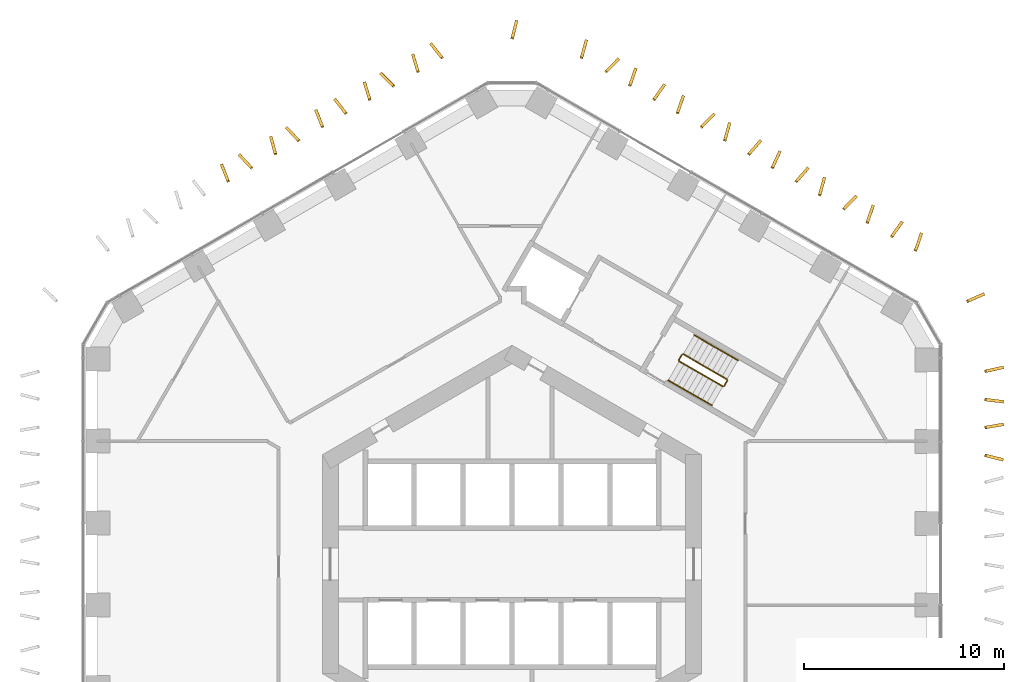
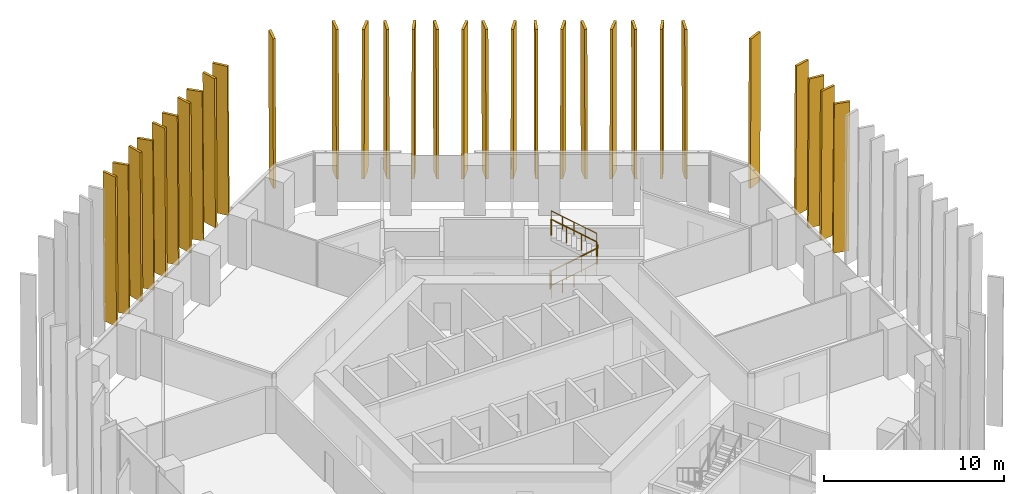
# One storey, part 18 of 18: 31 shading devices, 8 railings.
"""IFC4 building model written with IfcOpenShell, lengths in metres."""

import ifcopenshell
import ifcopenshell.guid

model = None  # the IFC model being written
_history = None  # IfcOwnerHistory: only IFC2X3 demands one
_inside = {}  # id of a spatial element -> (the spatial element, [elements in it])
_under = {}  # id of a project, library or spatial element -> (it, [spatial elements below it])
_declared = {}  # id of a project -> (the project, [libraries it declares])
_typed = {}  # id of a type object -> (the type object, [elements of that type])
_made_of = {}  # id of a material, layer set ... -> (it, [elements and type objects made of it])


def new_model(schema):
    """Start an empty IFC model of exactly this schema.

    Asked for "IFC4X3", IfcOpenShell would pick the latest addendum, in which some entities
    have other attributes; the version numbers below select the first issue.
    IFC2X3 requires an IfcOwnerHistory on every rooted entity: one is made here for all.
    """
    global model, _history
    if schema == "IFC4X3":
        model = ifcopenshell.file(schema_version=(4, 3, 0, 0))
    else:
        model = ifcopenshell.file(schema=schema)
    _inside.clear()
    _under.clear()
    _declared.clear()
    _typed.clear()
    _made_of.clear()
    _history = None
    if model.schema == "IFC2X3":
        org = make("IfcOrganization", Name="unknown")
        user = make(
            "IfcPersonAndOrganization",
            ThePerson=make("IfcPerson", FamilyName="unknown"),
            TheOrganization=org,
        )
        app = make(
            "IfcApplication",
            ApplicationDeveloper=org,
            Version="unknown",
            ApplicationFullName="unknown",
            ApplicationIdentifier="unknown",
        )
        _history = make(
            "IfcOwnerHistory",
            OwningUser=user,
            OwningApplication=app,
            ChangeAction="ADDED",
            CreationDate=0,
        )
    return model


def make(cls, **values):
    """One entity of the class cls with the attributes given. An attribute that is None is left unset."""
    return model.create_entity(
        cls, **{name: value for name, value in values.items() if value is not None}
    )


def rooted(cls, **values):
    """An entity with a GlobalId (a new one), such as an element, a storey or a relation."""
    return make(cls, GlobalId=ifcopenshell.guid.new(), OwnerHistory=_history, **values)


def si_unit(unit_type, name, prefix=None):
    """IfcSIUnit, for example si_unit("LENGTHUNIT", "METRE", prefix="MILLI")."""
    return make("IfcSIUnit", UnitType=unit_type, Prefix=prefix, Name=name)


def assignment(units):
    """IfcUnitAssignment: the units of a project."""
    return None if units is None else make("IfcUnitAssignment", Units=units)


def point(xyz):
    """IfcCartesianPoint."""
    return None if xyz is None else make("IfcCartesianPoint", Coordinates=xyz)


def direction(xyz):
    """IfcDirection."""
    return None if xyz is None else make("IfcDirection", DirectionRatios=xyz)


def frame(location, z_axis=None, x_axis=None):
    """IfcAxis2Placement3D, a coordinate frame: its origin and axes. An axis left out is left unset."""
    return make(
        "IfcAxis2Placement3D",
        Location=point(location),
        Axis=direction(z_axis),
        RefDirection=direction(x_axis),
    )


def frame_2d(location, x_axis=None):
    """IfcAxis2Placement2D, a coordinate frame in the plane: its origin and x axis."""
    return make(
        "IfcAxis2Placement2D", Location=point(location), RefDirection=direction(x_axis)
    )


def origin():
    """The frame at (0, 0, 0) with its axes left unset."""
    return frame((0.0, 0.0, 0.0))


def origin_2d():
    """The frame at (0, 0) in the plane with its x axis left unset."""
    return frame_2d((0.0, 0.0))


def place(relative_to, where):
    """IfcLocalPlacement: puts the frame where relative to a parent placement (None: the world)."""
    return make(
        "IfcLocalPlacement", PlacementRelTo=relative_to, RelativePlacement=where
    )


def context(
    kind, dimensions, precision=None, world=None, true_north=None, identifier=None
):
    """IfcGeometricRepresentationContext, for example the 3D "Model" context."""
    return make(
        "IfcGeometricRepresentationContext",
        ContextIdentifier=identifier,
        ContextType=kind,
        CoordinateSpaceDimension=dimensions,
        Precision=precision,
        WorldCoordinateSystem=world,
        TrueNorth=true_north,
    )


def subcontext(parent, identifier, kind, view, scale=None):
    """IfcGeometricRepresentationSubContext, for example "Body" below "Model"."""
    return make(
        "IfcGeometricRepresentationSubContext",
        ContextIdentifier=identifier,
        ContextType=kind,
        ParentContext=parent,
        TargetScale=scale,
        TargetView=view,
    )


def project(units=None, contexts=None):
    """IfcProject with its units and contexts."""
    return rooted(
        "IfcProject",
        Name="project",
        RepresentationContexts=contexts,
        UnitsInContext=assignment(units),
    )


def spatial(cls, under=None, at=None, **own):
    """A site, building, storey or space (cls), placed at a placement, below another one or the project."""
    s = rooted(cls, ObjectPlacement=at, **own)
    if under is not None:
        _under.setdefault(under.id(), (under, []))[1].append(s)
    return s


def polyline(points):
    """IfcPolyline through the points."""
    return make("IfcPolyline", Points=[point(p) for p in points])


def profile(cls, at=None, kind="AREA", **sizes):
    """A parametric profile (cls). Its sizes go by their IFC names, for example OverallWidth=200.0."""
    return make(cls, ProfileType=kind, Position=at, **sizes)


def circle(**sizes):
    """IfcCircleProfileDef."""
    return profile("IfcCircleProfileDef", **sizes)


def outline(outer, holes=None, kind="AREA"):
    """IfcArbitraryClosedProfileDef: a profile drawn as a closed curve; with holes, ...WithVoids."""
    if holes is None:
        return make("IfcArbitraryClosedProfileDef", ProfileType=kind, OuterCurve=outer)
    return make(
        "IfcArbitraryProfileDefWithVoids",
        ProfileType=kind,
        OuterCurve=outer,
        InnerCurves=holes,
    )


def extrude(swept, where, along, depth):
    """IfcExtrudedAreaSolid: the profile swept, set in the frame where, extruded along a direction by depth."""
    return make(
        "IfcExtrudedAreaSolid",
        SweptArea=swept,
        Position=where,
        ExtrudedDirection=direction(along),
        Depth=depth,
    )


def shape(context_of_items, identifier, shape_type, items):
    """IfcShapeRepresentation: the items that make up one representation, for example the "Body"."""
    return make(
        "IfcShapeRepresentation",
        ContextOfItems=context_of_items,
        RepresentationIdentifier=identifier,
        RepresentationType=shape_type,
        Items=items,
    )


def material(Name=None, Category=None):
    """IfcMaterial."""
    return make("IfcMaterial", Name=Name, Category=Category)


def layer(
    of_material, thickness, ventilated=None, Name=None, Category=None, Priority=None
):
    """IfcMaterialLayer: one layer of a wall or slab, of a material (None: an air gap)."""
    return make(
        "IfcMaterialLayer",
        Material=of_material,
        LayerThickness=thickness,
        IsVentilated=ventilated,
        Name=Name,
        Category=Category,
        Priority=Priority,
    )


def layer_set(layers, Name=None):
    """IfcMaterialLayerSet."""
    return make("IfcMaterialLayerSet", MaterialLayers=layers, LayerSetName=Name)


def made_of(thing, what):
    """Note that an element or type object is made of a material, layer set ...; save() writes the relation."""
    if what is not None:
        _made_of.setdefault(what.id(), (what, []))[1].append(thing)
    return thing


def type_object(cls, material=None, **own):
    """A type object (cls), such as IfcWallType, which elements share."""
    return made_of(rooted(cls, **own), material)


def element(
    cls,
    number,
    at=None,
    inside=None,
    cuts=None,
    type_object=None,
    material=None,
    context=None,
    identifier="Body",
    shape_type=None,
    held_by="IfcProductDefinitionShape",
    body=None,
    shapes=None,
    **own,
):
    """One element of the class cls, such as IfcWall. Its Tag is "e" and its number.

    at: its placement. inside: the storey or other place that contains it. cuts: it is an
    opening in that element (IfcRelVoidsElement). A single representation is given by context,
    identifier, shape_type and body (its items); several are given by shapes. held_by: the class
    of the entity that holds the representations. save() writes the other relations.
    """
    e = rooted(cls, Tag="e%d" % number, ObjectPlacement=at, **own)
    if body is not None:
        shapes = [shape(context, identifier, shape_type, body)]
    if shapes is not None:
        e.Representation = make(held_by, Representations=shapes)
    if inside is not None:
        _inside.setdefault(inside.id(), (inside, []))[1].append(e)
    if cuts is not None:
        rooted(
            "IfcRelVoidsElement", RelatingBuildingElement=cuts, RelatedOpeningElement=e
        )
    if type_object is not None:
        _typed.setdefault(type_object.id(), (type_object, []))[1].append(e)
    return made_of(e, material)


def aggregate(whole, parts):
    """IfcRelAggregates: a whole, such as a stair, and the parts it consists of."""
    return rooted("IfcRelAggregates", RelatingObject=whole, RelatedObjects=parts)


def save(model, path):
    """Write the relations noted so far, then the file.

    IfcRelAggregates (storeys below a building ...), IfcRelContainedInSpatialStructure (elements
    in a storey), IfcRelDefinesByType, IfcRelAssociatesMaterial and IfcRelDeclares: one each for
    every whole, place, type object, material and project.
    """
    for whole, parts in _under.values():
        aggregate(whole, parts)
    for where, things in _inside.values():
        rooted(
            "IfcRelContainedInSpatialStructure",
            RelatedElements=things,
            RelatingStructure=where,
        )
    for kind, things in _typed.values():
        rooted("IfcRelDefinesByType", RelatedObjects=things, RelatingType=kind)
    for what, things in _made_of.values():
        rooted("IfcRelAssociatesMaterial", RelatedObjects=things, RelatingMaterial=what)
    for by, libraries in _declared.values():
        rooted("IfcRelDeclares", RelatingContext=by, RelatedDefinitions=libraries)
    model.write(path)


model = new_model("IFC4")

# Units and contexts
model_context = context("Model", 3, precision=1e-05, world=origin(), true_north=direction((0.0, 1.0)))
body_context = subcontext(model_context, "Body", "Model", "MODEL_VIEW")
ifc_project = project(units=[si_unit("LENGTHUNIT", "METRE"), si_unit("AREAUNIT", "SQUARE_METRE"), si_unit("VOLUMEUNIT", "CUBIC_METRE"), si_unit("PLANEANGLEUNIT", "RADIAN"), si_unit("MASSUNIT", "GRAM", prefix="KILO")], contexts=[model_context])

# Site, building, storey
site_placement = place(None, origin())
site = spatial("IfcSite", under=ifc_project, at=site_placement, CompositionType="ELEMENT")
building_placement = place(site_placement, origin())
building = spatial("IfcBuilding", under=site, at=building_placement, Name="Ayvan Gate Tower", CompositionType="ELEMENT")
storey_placement = place(building_placement, frame((0.0, 0.0, 25.5)))
storey = spatial("IfcBuildingStorey", under=building, at=storey_placement, Name="L05", CompositionType="ELEMENT", Elevation=25.5)

# Shading devices
ifc_material_1 = material(Name="Bronze anodised aluminium", Category="aluminium")
ifc_layer = layer(ifc_material_1, 0.14990234375)
ifc_layer_set = layer_set([ifc_layer], Name="Bronze anodised aluminium")
shading_device_type = type_object("IfcShadingDeviceType", Name="Bronze fin 900 x 150", PredefinedType="USERDEFINED", material=ifc_layer_set)
shading_device_1_placement = place(storey_placement, frame((-3.42041015625, 25.386474609375, 0.0), z_axis=(0.784625776863, 0.619969650137, 0.000152286026), x_axis=(-0.619969657329, 0.784625785959, 2.9012e-08)))
element("IfcShadingDevice", 1, at=shading_device_1_placement, inside=storey, type_object=shading_device_type, Name="Bronze fin FG01.1.1", ObjectType="FIN", PredefinedType="USERDEFINED", context=body_context, shape_type="SweptSolid", body=[
    extrude(outline(polyline([(0.0, 0.0), (0.8999971703239145, 1.3552527156068805e-20), (0.9679733351634761, 10.080078213800714), (0.06793596558940777, 10.080078266023623), (0.0, 0.0)])), origin(), (0.0, 0.0, -1.0), 0.14990234375),
])
shading_device_2_placement = place(storey_placement, frame((-4.625732421875, 24.658203125, 0.0), z_axis=(0.957527129652, 0.288343155473, 0.000143780201), x_axis=(-0.288343158453, 0.957527139549, 0.0)))
element("IfcShadingDevice", 2, at=shading_device_2_placement, inside=storey, type_object=shading_device_type, Name="Bronze fin FG01.1.2", ObjectType="FIN", PredefinedType="USERDEFINED", context=body_context, shape_type="SweptSolid", body=[
    extrude(outline(polyline([(0.0, 0.0), (0.900043842784266, 0.0), (0.9680473104618805, 10.080078229191452), (0.06800346767761455, 10.080078229191452), (0.0, 0.0)])), origin(), (0.0, 0.0, -1.0), 0.14990234375),
])
shading_device_3_placement = place(storey_placement, frame((-5.86279296875, 23.986328125, 0.0), z_axis=(0.707174598362, 0.707038942387, 0.000146219189), x_axis=(-0.707038949947, 0.70717460592, 1.4026e-08)))
element("IfcShadingDevice", 3, at=shading_device_3_placement, inside=storey, type_object=shading_device_type, Name="Bronze fin FG01.1.3", ObjectType="FIN", PredefinedType="USERDEFINED", context=body_context, shape_type="SweptSolid", body=[
    extrude(outline(polyline([(0.0, 0.0), (0.8997657535617469, 0.0), (0.9677833578049054, 10.080078219182338), (0.06784495419288507, 10.080078244424667), (0.0, 0.0)])), origin(), (0.0, 0.0, -1.0), 0.14990234375),
])
shading_device_4_placement = place(storey_placement, frame((-7.0439453125, 23.262451171875, 0.0), z_axis=(0.956068899503, 0.293142010759, 0.000144676319), x_axis=(-0.293142013824, 0.95606890951, -1.8764e-08)))
element("IfcShadingDevice", 4, at=shading_device_4_placement, inside=storey, type_object=shading_device_type, Name="Bronze fin FG01.1.4", ObjectType="FIN", PredefinedType="USERDEFINED", context=body_context, shape_type="SweptSolid", body=[
    extrude(outline(polyline([(0.0, 0.0), (0.8998486845806556, 0.0), (0.9680015125848991, 10.080078248657912), (0.06808126012977474, 10.080078214886909), (0.0, 0.0)])), origin(), (0.0, 0.0, -1.0), 0.14990234375),
])
shading_device_5_placement = place(storey_placement, frame((-8.238037109375, 22.6044921875, 0.0), z_axis=(0.787493543191, 0.616322883269, 0.000151632783), x_axis=(-0.616322890354, 0.787493552244, 0.0)))
element("IfcShadingDevice", 5, at=shading_device_5_placement, inside=storey, type_object=shading_device_type, Name="Bronze fin FG01.1.5", ObjectType="FIN", PredefinedType="USERDEFINED", context=body_context, shape_type="SweptSolid", body=[
    extrude(outline(polyline([(0.0, 0.0), (0.8999949680293663, 0.0), (0.9681560419740287, 10.080078240883104), (0.06816107394466255, 10.080078240883104), (0.0, 0.0)])), origin(), (0.0, 0.0, -1.0), 0.14990234375),
])
shading_device_6_placement = place(storey_placement, frame((-9.408935546875, 21.90380859375, 0.0), z_axis=(0.929762109208, 0.36816083519, 0.000140403341), x_axis=(-0.368160838819, 0.929762118372, 0.0)))
element("IfcShadingDevice", 6, at=shading_device_6_placement, inside=storey, type_object=shading_device_type, Name="Bronze fin FG01.1.6", ObjectType="FIN", PredefinedType="USERDEFINED", context=body_context, shape_type="SweptSolid", body=[
    extrude(outline(polyline([(0.0, 0.0), (0.899875253403113, 0.0), (0.9679197443733578, 10.080078224354788), (0.06804449097024484, 10.080078224354788), (0.0, 0.0)])), origin(), (0.0, 0.0, -1.0), 0.14990234375),
])
shading_device_7_placement = place(storey_placement, frame((-10.605712890625, 21.2451171875, 0.0), z_axis=(0.729131032652, 0.684374105424, 0.000145081001), x_axis=(-0.684374112627, 0.729131040325, 0.0)))
element("IfcShadingDevice", 7, at=shading_device_7_placement, inside=storey, type_object=shading_device_type, Name="Bronze fin FG01.1.7", ObjectType="FIN", PredefinedType="USERDEFINED", context=body_context, shape_type="SweptSolid", body=[
    extrude(outline(polyline([(0.0, 0.0), (0.9000439752325704, 0.0), (0.9680493534032295, 10.08007823108525), (0.06800537817065914, 10.08007823108525), (0.0, 0.0)])), origin(), (0.0, 0.0, -1.0), 0.14990234375),
])
shading_device_8_placement = place(storey_placement, frame((-11.769775390625, 20.531005859375, 0.0), z_axis=(0.965937144207, 0.258776758094, 0.000151368505), x_axis=(-0.258776761059, 0.965937155273, 0.0)))
element("IfcShadingDevice", 8, at=shading_device_8_placement, inside=storey, type_object=shading_device_type, Name="Bronze fin FG01.1.8", ObjectType="FIN", PredefinedType="USERDEFINED", context=body_context, shape_type="SweptSolid", body=[
    extrude(outline(polyline([(0.0, 0.0), (0.9000427831971298, -6.776263578034403e-21), (0.9679358026845178, 10.080078240479514), (0.06789301948738803, 10.080078240479514), (0.0, 0.0)])), origin(), (0.0, 0.0, -1.0), 0.14990234375),
])
shading_device_9_placement = place(storey_placement, frame((-12.96923828125, 19.880615234375, 0.0), z_axis=(0.729198712014, 0.68430199072, 0.000154578862), x_axis=(-0.684301998897, 0.729198720724, 1.5288e-08)))
element("IfcShadingDevice", 9, at=shading_device_9_placement, inside=storey, type_object=shading_device_type, Name="Bronze fin FG01.1.9", ObjectType="FIN", PredefinedType="USERDEFINED", context=body_context, shape_type="SweptSolid", body=[
    extrude(outline(polyline([(0.0, 0.0), (0.9000439708308932, 0.0), (0.9680493581374876, 10.080078230630589), (0.06817245322429391, 10.080078258147251), (0.0, 0.0)])), origin(), (0.0, 0.0, -1.0), 0.14990234375),
])
shading_device_10_placement = place(storey_placement, frame((-14.135986328125, 19.174560546875, 0.0), z_axis=(0.929798868537, 0.368067988508, 0.000141077426), x_axis=(-0.368067992171, 0.92979887779, 0.0)))
element("IfcShadingDevice", 10, at=shading_device_10_placement, inside=storey, type_object=shading_device_type, Name="Bronze fin FG01.1.10", ObjectType="FIN", PredefinedType="USERDEFINED", context=body_context, shape_type="SweptSolid", body=[
    extrude(outline(polyline([(0.0, 0.0), (0.9001022505955933, 0.0), (0.9681465998989257, 10.080078225311095), (0.0680443493033324, 10.080078225311095), (0.0, 0.0)])), origin(), (0.0, 0.0, -1.0), 0.14990234375),
])
shading_device_11_placement = place(storey_placement, frame((23.66650390625, 5.385009765625, 0.0), z_axis=(-0.240875815554, -0.970555932491, 0.000152933297), x_axis=(0.970555943841, -0.240875818371, 0.0)))
element("IfcShadingDevice", 11, at=shading_device_11_placement, inside=storey, type_object=shading_device_type, Name="Bronze fin FG01.9.76", ObjectType="FIN", PredefinedType="USERDEFINED", context=body_context, shape_type="SweptSolid", body=[
    extrude(outline(polyline([(0.0, 0.0), (0.9000358627379677, 6.776263578034403e-21), (0.968074105327139, 10.080078242879425), (0.06803824258917132, 10.080078242879425), (0.0, 0.0)])), origin(), (0.0, 0.0, -1.0), 0.14990234375),
])
shading_device_12_placement = place(storey_placement, frame((23.697265625, 6.769287109375, 0.0), z_axis=(0.167631081702, -0.985849783891, 0.000155079871), x_axis=(0.985849795746, 0.167631083718, 3.526e-09)))
element("IfcShadingDevice", 12, at=shading_device_12_placement, inside=storey, type_object=shading_device_type, Name="Bronze fin FG01.9.77", ObjectType="FIN", PredefinedType="USERDEFINED", context=body_context, shape_type="SweptSolid", body=[
    extrude(outline(polyline([(0.0, 0.0), (0.8999448651066961, 0.0), (0.9680619151702059, 10.080078242798207), (0.06787636407822027, 10.080078249145785), (0.0, 0.0)])), origin(), (0.0, 0.0, -1.0), 0.14990234375),
])
shading_device_13_placement = place(storey_placement, frame((23.675537109375, 8.175537109375, 0.0), z_axis=(-0.120444783903, -0.992720015071, 0.000160336832), x_axis=(0.992720027832, -0.12044478545, 2.619e-09)))
element("IfcShadingDevice", 13, at=shading_device_13_placement, inside=storey, type_object=shading_device_type, Name="Bronze fin FG01.9.78", ObjectType="FIN", PredefinedType="USERDEFINED", context=body_context, shape_type="SweptSolid", body=[
    extrude(outline(polyline([(0.0, 0.0), (0.9001056607918282, 0.0), (0.968034265540449, 10.080078252033527), (0.06817096803666561, 10.08007825674767), (0.0, 0.0)])), origin(), (0.0, 0.0, -1.0), 0.14990234375),
])
shading_device_14_placement = place(storey_placement, frame((23.70068359375, 9.58349609375, 0.0), z_axis=(0.213381312126, -0.976968982793, 0.000149320209), x_axis=(0.976968993685, 0.213381314502, -1.979e-08)))
element("IfcShadingDevice", 14, at=shading_device_14_placement, inside=storey, type_object=shading_device_type, Name="Bronze fin FG01.9.79", ObjectType="FIN", PredefinedType="USERDEFINED", context=body_context, shape_type="SweptSolid", body=[
    extrude(outline(polyline([(0.0, 0.0), (0.8998493797503334, -6.776263578034403e-21), (0.9679257828186527, 10.080078256530339), (0.06802430802083337, 10.080078220913776), (0.0, 0.0)])), origin(), (0.0, 0.0, -1.0), 0.14990234375),
])
shading_device_15_placement = place(storey_placement, frame((22.816650390625, 13.0869140625, 0.0), z_axis=(0.404060916529, -0.914732064811, 0.000159184235), x_axis=(0.9147320764, 0.404060921651, 1.9749e-08)))
element("IfcShadingDevice", 15, at=shading_device_15_placement, inside=storey, type_object=shading_device_type, Name="Bronze fin FG01.10.80", ObjectType="FIN", PredefinedType="USERDEFINED", context=body_context, shape_type="SweptSolid", body=[
    extrude(outline(polyline([(0.0, 0.0), (0.9000310876171503, 0.0), (0.9679491753629711, 10.080078233596593), (0.06801673543177081, 10.080078269144188), (0.0, 0.0)])), origin(), (0.0, 0.0, -1.0), 0.14990234375),
])
shading_device_16_placement = place(storey_placement, frame((20.28076171875, 15.656005859375, 0.0), z_axis=(0.945251827009, -0.326341784443, 0.000152522246), x_axis=(0.326341788238, 0.945251838004, 6.75e-09)))
element("IfcShadingDevice", 16, at=shading_device_16_placement, inside=storey, type_object=shading_device_type, Name="Bronze fin FG01.11.81", ObjectType="FIN", PredefinedType="USERDEFINED", context=body_context, shape_type="SweptSolid", body=[
    extrude(outline(polyline([(0.0, 0.0), (0.9000956608138847, -6.776263578034403e-21), (0.9680231675961897, 10.0800782357121), (0.06815828115681759, 10.080078247862492), (0.0, 0.0)])), origin(), (0.0, 0.0, -1.0), 0.14990234375),
])
shading_device_17_placement = place(storey_placement, frame((19.061767578125, 16.335205078125, 0.0), z_axis=(0.815635135311, -0.57856659249, 0.000155246119), x_axis=(0.578566599462, 0.81563514514, 0.0)))
element("IfcShadingDevice", 17, at=shading_device_17_placement, inside=storey, type_object=shading_device_type, Name="Bronze fin FG01.11.82", ObjectType="FIN", PredefinedType="USERDEFINED", context=body_context, shape_type="SweptSolid", body=[
    extrude(outline(polyline([(0.0, 0.0), (0.9000726167205502, -1.3552527156068805e-20), (0.9681068227858162, 10.080078246471787), (0.06803420606526611, 10.080078246471787), (0.0, 0.0)])), origin(), (0.0, 0.0, -1.0), 0.14990234375),
])
shading_device_18_placement = place(storey_placement, frame((17.8623046875, 17.052490234375, 0.0), z_axis=(0.94618583365, -0.323623767071, 0.000159957179), x_axis=(0.323623771211, 0.946185845755, 0.0)))
element("IfcShadingDevice", 18, at=shading_device_18_placement, inside=storey, type_object=shading_device_type, Name="Bronze fin FG01.11.83", ObjectType="FIN", PredefinedType="USERDEFINED", context=body_context, shape_type="SweptSolid", body=[
    extrude(outline(polyline([(0.0, 0.0), (0.8999949680293663, 6.776263578034403e-21), (0.9680784230470811, 10.080078253955952), (0.06808345501771486, 10.080078253955952), (0.0, 0.0)])), origin(), (0.0, 0.0, -1.0), 0.14990234375),
])
shading_device_19_placement = place(storey_placement, frame((16.646240234375, 17.716064453125, 0.0), z_axis=(0.712309104772, -0.701865882939, 0.000147054366), x_axis=(0.701865890526, 0.712309112475, 1.4208e-08)))
element("IfcShadingDevice", 19, at=shading_device_19_placement, inside=storey, type_object=shading_device_type, Name="Bronze fin FG01.11.84", ObjectType="FIN", PredefinedType="USERDEFINED", context=body_context, shape_type="SweptSolid", body=[
    extrude(outline(polyline([(0.0, 0.0), (0.899963571326261, 0.0), (0.9681661073203031, 10.080078220235121), (0.06803118201686274, 10.080078245810839), (0.0, 0.0)])), origin(), (0.0, 0.0, -1.0), 0.14990234375),
])
shading_device_20_placement = place(storey_placement, frame((15.4775390625, 18.434326171875, 0.0), z_axis=(0.963529556583, -0.267601888392, 0.00015139351), x_axis=(0.267601891456, 0.963529567626, 1.9786e-08)))
element("IfcShadingDevice", 20, at=shading_device_20_placement, inside=storey, type_object=shading_device_type, Name="Bronze fin FG01.11.85", ObjectType="FIN", PredefinedType="USERDEFINED", context=body_context, shape_type="SweptSolid", body=[
    extrude(outline(polyline([(0.0, 0.0), (0.8999786350543154, 0.0), (0.9680006884427519, 10.08007822136516), (0.06795672089540516, 10.080078256979764), (0.0, 0.0)])), origin(), (0.0, 0.0, -1.0), 0.14990234375),
])
shading_device_21_placement = place(storey_placement, frame((14.2744140625, 19.091064453125, 0.0), z_axis=(0.755693549627, -0.654925368117, 0.000145766899), x_axis=(0.654925375074, 0.755693557657, 1.4941e-08)))
element("IfcShadingDevice", 21, at=shading_device_21_placement, inside=storey, type_object=shading_device_type, Name="Bronze fin FG01.11.86", ObjectType="FIN", PredefinedType="USERDEFINED", context=body_context, shape_type="SweptSolid", body=[
    extrude(outline(polyline([(0.0, 0.0), (0.8999883073878977, 1.3552527156068805e-20), (0.9679316069443284, 10.080078217628891), (0.06778340566603201, 10.080078244524616), (0.0, 0.0)])), origin(), (0.0, 0.0, -1.0), 0.14990234375),
])
shading_device_22_placement = place(storey_placement, frame((13.09814453125, 19.79443359375, 0.0), z_axis=(0.908443062806, -0.418008587574, 0.000149511201), x_axis=(0.418008592246, 0.90844307296, 0.0)))
element("IfcShadingDevice", 22, at=shading_device_22_placement, inside=storey, type_object=shading_device_type, Name="Bronze fin FG01.11.87", ObjectType="FIN", PredefinedType="USERDEFINED", context=body_context, shape_type="SweptSolid", body=[
    extrude(outline(polyline([(0.0, 0.0), (0.9000310283186577, -6.776263578034403e-21), (0.9681365899439014, 10.080078237663013), (0.06810556162524375, 10.080078237663013), (0.0, 0.0)])), origin(), (0.0, 0.0, -1.0), 0.14990234375),
])
shading_device_23_placement = place(storey_placement, frame((11.89892578125, 20.462158203125, 0.0), z_axis=(0.754941215793, -0.655792450298, 0.000151094018), x_axis=(0.655792457785, 0.754941224409, -1.547e-08)))
element("IfcShadingDevice", 23, at=shading_device_23_placement, inside=storey, type_object=shading_device_type, Name="Bronze fin FG01.11.88", ObjectType="FIN", PredefinedType="USERDEFINED", context=body_context, shape_type="SweptSolid", body=[
    extrude(outline(polyline([(0.0, 0.0), (0.9000750953258425, -1.3552527156068805e-20), (0.9682007745265896, 10.080078255039197), (0.06828578478126099, 10.08007822719326), (0.0, 0.0)])), origin(), (0.0, 0.0, -1.0), 0.14990234375),
])
shading_device_24_placement = place(storey_placement, frame((10.72705078125, 21.177001953125, 0.0), z_axis=(0.963679007612, -0.267063190146, 0.00015085693), x_axis=(0.267063193187, 0.963679018577, -1.4251e-08)))
element("IfcShadingDevice", 24, at=shading_device_24_placement, inside=storey, type_object=shading_device_type, Name="Bronze fin FG01.11.89", ObjectType="FIN", PredefinedType="USERDEFINED", context=body_context, shape_type="SweptSolid", body=[
    extrude(outline(polyline([(0.0, 0.0), (0.9001486323954742, 0.0), (0.968105918465982, 10.080078253497037), (0.06825776024330178, 10.080078227844746), (0.0, 0.0)])), origin(), (0.0, 0.0, -1.0), 0.14990234375),
])
shading_device_25_placement = place(storey_placement, frame((9.5205078125, 21.830078125, 0.0), z_axis=(0.712578286573, -0.701592591634, 0.000144462174), x_axis=(0.701592598956, 0.712578294007, -1.396e-08)))
element("IfcShadingDevice", 25, at=shading_device_25_placement, inside=storey, type_object=shading_device_type, Name="Bronze fin FG01.11.90", ObjectType="FIN", PredefinedType="USERDEFINED", context=body_context, shape_type="SweptSolid", body=[
    extrude(outline(polyline([(0.0, 0.0), (0.9001375077773439, 0.0), (0.9681690028213483, 10.080078243697905), (0.06820278229960884, 10.080078218568312), (0.0, 0.0)])), origin(), (0.0, 0.0, -1.0), 0.14990234375),
])
shading_device_26_placement = place(storey_placement, frame((8.3505859375, 22.544189453125, 0.0), z_axis=(0.946005360497, -0.32415094073, 0.000159795206), x_axis=(0.324150944869, 0.946005372575, -7.026e-09)))
element("IfcShadingDevice", 26, at=shading_device_26_placement, inside=storey, type_object=shading_device_type, Name="Bronze fin FG01.11.91", ObjectType="FIN", PredefinedType="USERDEFINED", context=body_context, shape_type="SweptSolid", body=[
    extrude(outline(polyline([(0.0, 0.0), (0.8999221467985978, 6.776263578034403e-21), (0.9680046219888023, 10.080078260496247), (0.06785151684729085, 10.080078247848686), (0.0, 0.0)])), origin(), (0.0, 0.0, -1.0), 0.14990234375),
])
shading_device_27_placement = place(storey_placement, frame((7.153076171875, 23.210693359375, 0.0), z_axis=(0.814849969323, -0.579671898949, 0.000130621284), x_axis=(0.579671903895, 0.814849976275, 0.0)))
element("IfcShadingDevice", 27, at=shading_device_27_placement, inside=storey, type_object=shading_device_type, Name="Bronze fin FG01.11.92", ObjectType="FIN", PredefinedType="USERDEFINED", context=body_context, shape_type="SweptSolid", body=[
    extrude(outline(polyline([(0.0, 0.0), (0.900041061365373, 0.0), (0.9680156667009883, 10.080078210992744), (0.06797460533561517, 10.080078210992744), (0.0, 0.0)])), origin(), (0.0, 0.0, -1.0), 0.14990234375),
])
shading_device_28_placement = place(storey_placement, frame((5.96435546875, 23.92138671875, 0.0), z_axis=(0.944648551347, -0.328083969233, 0.000153527482), x_axis=(0.328083973103, 0.944648562478, -2.6504e-08)))
element("IfcShadingDevice", 28, at=shading_device_28_placement, inside=storey, type_object=shading_device_type, Name="Bronze fin FG01.11.93", ObjectType="FIN", PredefinedType="USERDEFINED", context=body_context, shape_type="SweptSolid", body=[
    extrude(outline(polyline([(0.0, 0.0), (0.8999628667004963, 6.776263578034403e-21), (0.968117788830059, 10.08007826945603), (0.06800439366535965, 10.080078221747103), (0.0, 0.0)])), origin(), (0.0, 0.0, -1.0), 0.14990234375),
])
shading_device_29_placement = place(storey_placement, frame((4.73779296875, 24.591552734375, 0.0), z_axis=(0.713386389966, -0.700770886208, 0.000153799527), x_axis=(0.700770894494, 0.713386398405, 1.4619e-08)))
element("IfcShadingDevice", 29, at=shading_device_29_placement, inside=storey, type_object=shading_device_type, Name="Bronze fin FG01.11.94", ObjectType="FIN", PredefinedType="USERDEFINED", context=body_context, shape_type="SweptSolid", body=[
    extrude(outline(polyline([(0.0, 0.0), (0.8999749629601235, 0.0), (0.9680084793918238, 10.080078230067482), (0.0682076830328734, 10.08007825637798), (0.0, 0.0)])), origin(), (0.0, 0.0, -1.0), 0.14990234375),
])
shading_device_30_placement = place(storey_placement, frame((3.547119140625, 25.322509765625, 0.0), z_axis=(0.963758449188, -0.266776367795, 0.000145615325), x_axis=(0.266776370621, 0.963758459407, 1.9034e-08)))
element("IfcShadingDevice", 30, at=shading_device_30_placement, inside=storey, type_object=shading_device_type, Name="Bronze fin FG01.11.95", ObjectType="FIN", PredefinedType="USERDEFINED", context=body_context, shape_type="SweptSolid", body=[
    extrude(outline(polyline([(0.0, 0.0), (0.9000183053205617, -6.776263578034403e-21), (0.9680415327364814, 10.080078213442231), (0.06795809646606096, 10.080078247705679), (0.0, 0.0)])), origin(), (0.0, 0.0, -1.0), 0.14990234375),
])
shading_device_31_placement = place(storey_placement, frame((0.07275390625, 26.29296875, 0.0), z_axis=(0.969460466031, -0.24524758956, 0.000156902046), x_axis=(0.245247592579, 0.969460477964, -5.22e-09)))
element("IfcShadingDevice", 31, at=shading_device_31_placement, inside=storey, type_object=shading_device_type, Name="Bronze fin FG01.12.96", ObjectType="FIN", PredefinedType="USERDEFINED", context=body_context, shape_type="SweptSolid", body=[
    extrude(outline(polyline([(0.0, 0.0), (0.8998012967423877, -6.776263578034403e-21), (0.9678917228189741, 10.080078254129655), (0.06785374138958337, 10.080078244733924), (0.0, 0.0)])), origin(), (0.0, 0.0, -1.0), 0.14990234375),
])

# Railings
ifc_material_2 = material(Name="Stainless steel balustrade", Category="steel")
railing_type_1 = type_object("IfcRailingType", Name="RL-GUARD-1100", PredefinedType="GUARDRAIL", material=ifc_material_2)
railing_1_placement = place(storey_placement, frame((8.381103515625, 10.16650390625, 0.169921875)))
element("IfcRailing", 32, at=railing_1_placement, inside=storey, type_object=railing_type_1, Name="L05 STS1 stair guard 1", PredefinedType="GUARDRAIL", context=body_context, shape_type="SweptSolid", body=[
    extrude(circle(Radius=0.02392578125, at=origin_2d()), frame((0.0, 0.0, 1.076171875), z_axis=(0.740261155115, -0.427395438142, 0.518986090067), x_axis=(0.500004791531, 0.866022637375, 0.0)), (0.0, 0.0, 1.0), 2.947998046875),
    extrude(circle(Radius=0.02099609375, at=origin_2d()), origin(), (0.0, 0.0, 1.0), 1.052001953125),
    extrude(circle(Radius=0.02099609375, at=origin_2d()), frame((0.7275390625, -0.419921875, 0.510009765625)), (0.0, 0.0, 1.0), 1.052001953125),
    extrude(circle(Radius=0.02099609375, at=origin_2d()), frame((1.454833984375, -0.840087890625, 1.02001953125)), (0.0, 0.0, 1.0), 1.052001953125),
    extrude(circle(Radius=0.02099609375, at=origin_2d()), frame((2.182373046875, -1.260009765625, 1.530029296875)), (0.0, 0.0, 1.0), 1.052001953125),
])
railing_2_placement = place(storey_placement, frame((10.6318359375, 8.9248046875, 1.699951171875)))
element("IfcRailing", 33, at=railing_2_placement, inside=storey, type_object=railing_type_1, Name="L05 STS1 stair guard 2", PredefinedType="GUARDRAIL", context=body_context, shape_type="SweptSolid", body=[
    extrude(circle(Radius=0.02392578125, at=origin_2d()), frame((0.0, 0.0, 1.076171875), z_axis=(0.499949632511, 0.866054481515, 0.0), x_axis=(-0.866054481515, 0.499949632511, 0.0)), (0.0, 0.0, 1.0), 0.31005859375),
    extrude(circle(Radius=0.02099609375, at=origin_2d()), origin(), (0.0, 0.0, 1.0), 1.052001953125),
    extrude(circle(Radius=0.02099609375, at=origin_2d()), frame((0.155029296875, 0.2685546875, 0.0)), (0.0, 0.0, 1.0), 1.052001953125),
])
railing_3_placement = place(storey_placement, frame((10.7685546875, 9.261474609375, 1.8701171875)))
element("IfcRailing", 34, at=railing_3_placement, inside=storey, type_object=railing_type_1, Name="L05 STS1 stair guard 3", PredefinedType="GUARDRAIL", context=body_context, shape_type="SweptSolid", body=[
    extrude(circle(Radius=0.02392578125, at=origin_2d()), frame((0.0, 0.0, 1.076171875), z_axis=(-0.740292969978, 0.427413806696, 0.51892557891), x_axis=(-0.500004791531, -0.866022637375, 0.0)), (0.0, 0.0, 1.0), 2.947998046875),
    extrude(circle(Radius=0.02099609375, at=origin_2d()), origin(), (0.0, 0.0, 1.0), 1.052001953125),
    extrude(circle(Radius=0.02099609375, at=origin_2d()), frame((-0.7275390625, 0.419921875, 0.510009765625)), (0.0, 0.0, 1.0), 1.052001953125),
    extrude(circle(Radius=0.02099609375, at=origin_2d()), frame((-1.454833984375, 0.840087890625, 1.019775390625)), (0.0, 0.0, 1.0), 1.052001953125),
    extrude(circle(Radius=0.02099609375, at=origin_2d()), frame((-2.182373046875, 1.260009765625, 1.52978515625)), (0.0, 0.0, 1.0), 1.052001953125),
])
railing_4_placement = place(storey_placement, frame((8.36279296875, 10.23486328125, 0.0)))
element("IfcRailing", 35, at=railing_4_placement, inside=storey, type_object=railing_type_1, Name="L05 STS1 stair guard 4", PredefinedType="GUARDRAIL", context=body_context, shape_type="SweptSolid", body=[
    extrude(circle(Radius=0.02392578125, at=origin_2d()), frame((0.0, 0.0, 1.076171875), z_axis=(0.500290723946, 0.86585748916, 0.0), x_axis=(-0.86585748916, 0.500290723946, 0.0)), (0.0, 0.0, 1.0), 0.309814453125),
    extrude(circle(Radius=0.02099609375, at=origin_2d()), origin(), (0.0, 0.0, 1.0), 1.052001953125),
    extrude(circle(Radius=0.02099609375, at=origin_2d()), frame((0.155029296875, 0.268310546875, 0.0)), (0.0, 0.0, 1.0), 1.052001953125),
])
railing_type_2 = type_object("IfcRailingType", Name="RL-HANDRAIL-900", PredefinedType="HANDRAIL", material=ifc_material_2)
railing_5_placement = place(storey_placement, frame((7.8310546875, 9.2138671875, 0.169921875)))
element("IfcRailing", 36, at=railing_5_placement, inside=storey, type_object=railing_type_2, Name="L05 STS1 stair handrail 1", PredefinedType="HANDRAIL", context=body_context, shape_type="SweptSolid", body=[
    extrude(circle(Radius=0.02392578125, at=origin_2d()), frame((0.0, 0.0, 0.8759765625), z_axis=(0.740292964666, -0.42728318766, 0.519033143459), x_axis=(0.499890179513, 0.866088799389, 0.0)), (0.0, 0.0, 1.0), 1.47412109375),
    extrude(circle(Radius=0.02099609375, at=origin_2d()), origin(), (0.0, 0.0, 1.0), 0.851806640625),
    extrude(circle(Radius=0.02099609375, at=origin_2d()), frame((0.545654296875, -0.31494140625, 0.382568359375)), (0.0, 0.0, 1.0), 0.851806640625),
    extrude(circle(Radius=0.02099609375, at=origin_2d()), frame((1.09130859375, -0.6298828125, 0.76513671875)), (0.0, 0.0, 1.0), 0.851806640625),
])
railing_6_placement = place(storey_placement, frame((8.92236328125, 8.583984375, 0.93505859375)))
element("IfcRailing", 37, at=railing_6_placement, inside=storey, type_object=railing_type_2, Name="L05 STS1 stair handrail 2", PredefinedType="HANDRAIL", context=body_context, shape_type="SweptSolid", body=[
    extrude(circle(Radius=0.02392578125, at=origin_2d()), frame((0.0, 0.0, 0.8759765625), z_axis=(0.740229329464, -0.427507697325, 0.518939021976), x_axis=(0.50011940292, 0.865956455501, 0.0)), (0.0, 0.0, 1.0), 1.473876953125),
    extrude(circle(Radius=0.02099609375, at=origin_2d()), origin(), (0.0, 0.0, 1.0), 0.851806640625),
    extrude(circle(Radius=0.02099609375, at=origin_2d()), frame((0.54541015625, -0.31494140625, 0.38232421875)), (0.0, 0.0, 1.0), 0.851806640625),
    extrude(circle(Radius=0.02099609375, at=origin_2d()), frame((1.091064453125, -0.630126953125, 0.764892578125)), (0.0, 0.0, 1.0), 0.851806640625),
])
railing_7_placement = place(storey_placement, frame((11.318603515625, 10.214111328125, 1.8701171875)))
element("IfcRailing", 38, at=railing_7_placement, inside=storey, type_object=railing_type_2, Name="L05 STS1 stair handrail 3", PredefinedType="HANDRAIL", context=body_context, shape_type="SweptSolid", body=[
    extrude(circle(Radius=0.02392578125, at=origin_2d()), frame((0.0, 0.0, 0.8759765625), z_axis=(-0.740304193401, 0.427455284825, 0.518875399983), x_axis=(-0.500035496587, -0.86600490885, 0.0)), (0.0, 0.0, 1.0), 1.47412109375),
    extrude(circle(Radius=0.02099609375, at=origin_2d()), origin(), (0.0, 0.0, 1.0), 0.851806640625),
    extrude(circle(Radius=0.02099609375, at=origin_2d()), frame((-0.545654296875, 0.31494140625, 0.38232421875)), (0.0, 0.0, 1.0), 0.851806640625),
    extrude(circle(Radius=0.02099609375, at=origin_2d()), frame((-1.09130859375, 0.630126953125, 0.764892578125)), (0.0, 0.0, 1.0), 0.851806640625),
])
railing_8_placement = place(storey_placement, frame((10.227294921875, 10.84423828125, 2.635009765625)))
element("IfcRailing", 39, at=railing_8_placement, inside=storey, type_object=railing_type_2, Name="L05 STS1 stair handrail 4", PredefinedType="HANDRAIL", context=body_context, shape_type="SweptSolid", body=[
    extrude(circle(Radius=0.02392578125, at=origin_2d()), frame((0.0, 0.0, 0.8759765625), z_axis=(-0.740356597536, 0.427319915356, 0.518912129772), x_axis=(-0.499890179513, -0.866088799389, 0.0)), (0.0, 0.0, 1.0), 1.47412109375),
    extrude(circle(Radius=0.02099609375, at=origin_2d()), origin(), (0.0, 0.0, 1.0), 0.851806640625),
    extrude(circle(Radius=0.02099609375, at=origin_2d()), frame((-0.545654296875, 0.31494140625, 0.38232421875)), (0.0, 0.0, 1.0), 0.851806640625),
    extrude(circle(Radius=0.02099609375, at=origin_2d()), frame((-1.09130859375, 0.6298828125, 0.764892578125)), (0.0, 0.0, 1.0), 0.851806640625),
])

save(model, "model.ifc")
